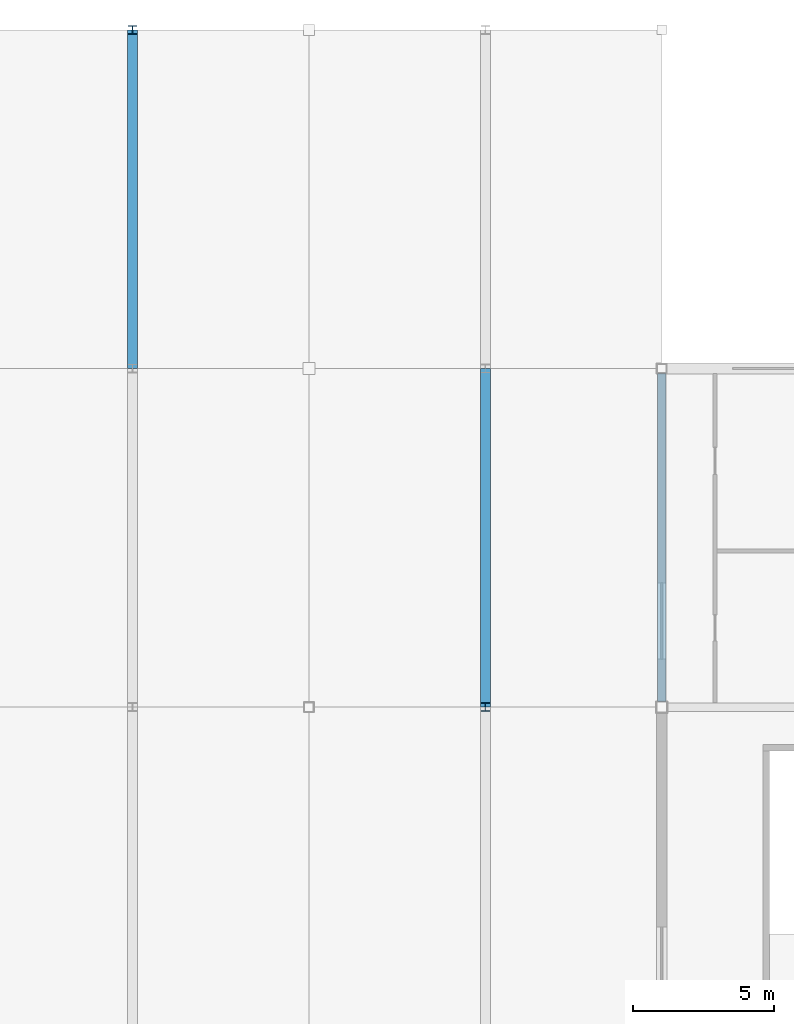
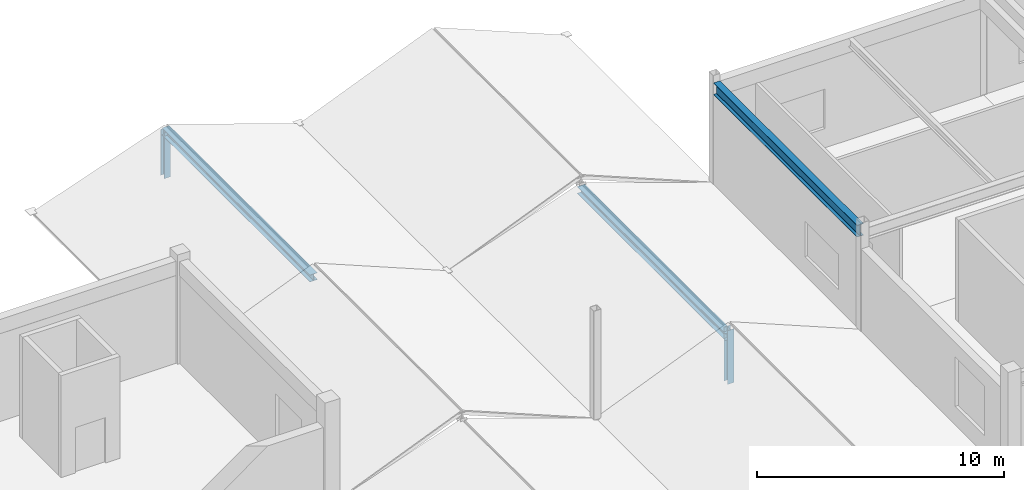
# One storey, part 47 of 76: 4 members, 1 beam.
"""IFC4 building model written with IfcOpenShell, lengths in metres."""

from ifc_helpers import new_model, si_unit, direction, frame, origin, origin_2d, place, context, subcontext, project, spatial, i_section, extrude, material, material_profile, profile_set, type_object, element, save


model = new_model("IFC4")

# Units and contexts
model_context = context("Model", 3, precision=1e-05, world=origin(), true_north=direction((0.0, 1.0)))
body_context = subcontext(model_context, "Body", "Model", "MODEL_VIEW")
ifc_project = project(units=[si_unit("LENGTHUNIT", "METRE"), si_unit("AREAUNIT", "SQUARE_METRE"), si_unit("VOLUMEUNIT", "CUBIC_METRE"), si_unit("PLANEANGLEUNIT", "RADIAN"), si_unit("MASSUNIT", "GRAM", prefix="KILO")], contexts=[model_context])

# Site, building, storey
site_placement = place(None, origin())
site = spatial("IfcSite", under=ifc_project, at=site_placement, CompositionType="ELEMENT")
building_placement = place(site_placement, origin())
building = spatial("IfcBuilding", under=site, at=building_placement, Name="Kazenohara Klinker Stadium", CompositionType="ELEMENT")
storey_placement = place(building_placement, frame((0.0, 0.0, 25.800048828125)))
storey = spatial("IfcBuildingStorey", under=building, at=storey_placement, Name="L05", CompositionType="ELEMENT", Elevation=25.800048828125)

# Beam
ifc_material = material(Name="Steel S355", Category="steel")
ifc_material_profile_1 = material_profile(ifc_material, i_section(OverallWidth=0.300048828125, OverallDepth=0.587890625, WebThickness=0.011962890625, FlangeThickness=0.02001953125, FilletRadius=0.02197265625, at=origin_2d()), Name="H-588x300x12x20")
ifc_profile_set_1 = profile_set([ifc_material_profile_1], Name="Steel S355")
beam_type = type_object("IfcBeamType", Name="BM-ST05", PredefinedType="BEAM", material=ifc_profile_set_1)
beam_placement = place(storey_placement, frame((175.0, 144.199951171875, 4.745849609375), z_axis=(0.0, 1.0, 0.0), x_axis=(-1.0, 0.0, 0.0)))
element("IfcBeam", 1, at=beam_placement, inside=storey, type_object=beam_type, Name="Primary girder SB05 L05 15/N-P", PredefinedType="BEAM", context=body_context, shape_type="SweptSolid", body=[
    extrude(i_section(OverallWidth=0.300048828125, OverallDepth=0.587890625, WebThickness=0.011962890625, FlangeThickness=0.02001953125, FilletRadius=0.02197265625, at=origin_2d()), origin(), (0.0, 0.0, 1.0), 11.625),
])

# Members
ifc_material_profile_2 = material_profile(ifc_material, i_section(OverallWidth=0.35009765625, OverallDepth=0.35009765625, WebThickness=0.011962890625, FlangeThickness=0.01904296875, FilletRadius=0.012939453125, at=origin_2d()), Name="H-350x350x12x19")
ifc_profile_set_2 = profile_set([ifc_material_profile_2], Name="Steel S355")
member_type_1 = type_object("IfcMemberType", Name="MEM-CHD02", PredefinedType="CHORD", material=ifc_profile_set_2)
for number, where, z_axis, x_axis, name in (
    (2, (156.25, 156.0, 1.829833984375), (0.0, 1.0, 0.0), (-1.0, 0.0, 0.0), "Stepped pavilion gable ridge beam L05 13/P"),
    (3, (168.75, 144.0, 1.829833984375), (0.0, 1.0, 0.0), (-1.0, 0.0, 0.0), "Stepped pavilion gable ridge beam L05 14/N"),
):
    element("IfcMember", number, at=place(storey_placement, frame(where, z_axis=z_axis, x_axis=x_axis)), inside=storey, type_object=member_type_1, Name=name, PredefinedType="CHORD", context=body_context, shape_type="SweptSolid", body=[
        extrude(i_section(OverallWidth=0.35009765625, OverallDepth=0.35009765625, WebThickness=0.011962890625, FlangeThickness=0.01904296875, FilletRadius=0.012939453125, at=origin_2d()), origin(), (0.0, 0.0, 1.0), 12.0),
    ])
ifc_material_profile_3 = material_profile(ifc_material, i_section(OverallWidth=0.300048828125, OverallDepth=0.300048828125, WebThickness=0.010009765625, FlangeThickness=0.014892578125, FilletRadius=0.012939453125, at=origin_2d()), Name="H-300x300x10x15")
ifc_profile_set_3 = profile_set([ifc_material_profile_3], Name="Steel S355")
member_type_2 = type_object("IfcMemberType", Name="MEM-STR01", PredefinedType="STRUT", material=ifc_profile_set_3)
member_1_placement = place(storey_placement, frame((156.25, 168.0, -0.429931640625), z_axis=(0.0, 0.0, 1.0), x_axis=(1.0, 0.0, 0.0)))
element("IfcMember", 4, at=member_1_placement, inside=storey, type_object=member_type_2, Name="Stepped pavilion gable king-post L05 13/P N", PredefinedType="STRUT", context=body_context, shape_type="SweptSolid", body=[
    extrude(i_section(OverallWidth=0.300048828125, OverallDepth=0.300048828125, WebThickness=0.010009765625, FlangeThickness=0.014892578125, FilletRadius=0.012939453125, at=origin_2d()), origin(), (0.0, 0.0, 1.0), 2.259765625),
])
member_2_placement = place(storey_placement, frame((168.75, 144.0, -0.429931640625), z_axis=(0.0, 0.0, 1.0), x_axis=(1.0, 0.0, 0.0)))
element("IfcMember", 5, at=member_2_placement, inside=storey, type_object=member_type_2, Name="Stepped pavilion gable king-post L05 14/M N", PredefinedType="STRUT", context=body_context, shape_type="SweptSolid", body=[
    extrude(i_section(OverallWidth=0.300048828125, OverallDepth=0.300048828125, WebThickness=0.010009765625, FlangeThickness=0.014892578125, FilletRadius=0.012939453125, at=origin_2d()), origin(), (0.0, 0.0, 1.0), 2.659912109375),
])

save(model, "model.ifc")
